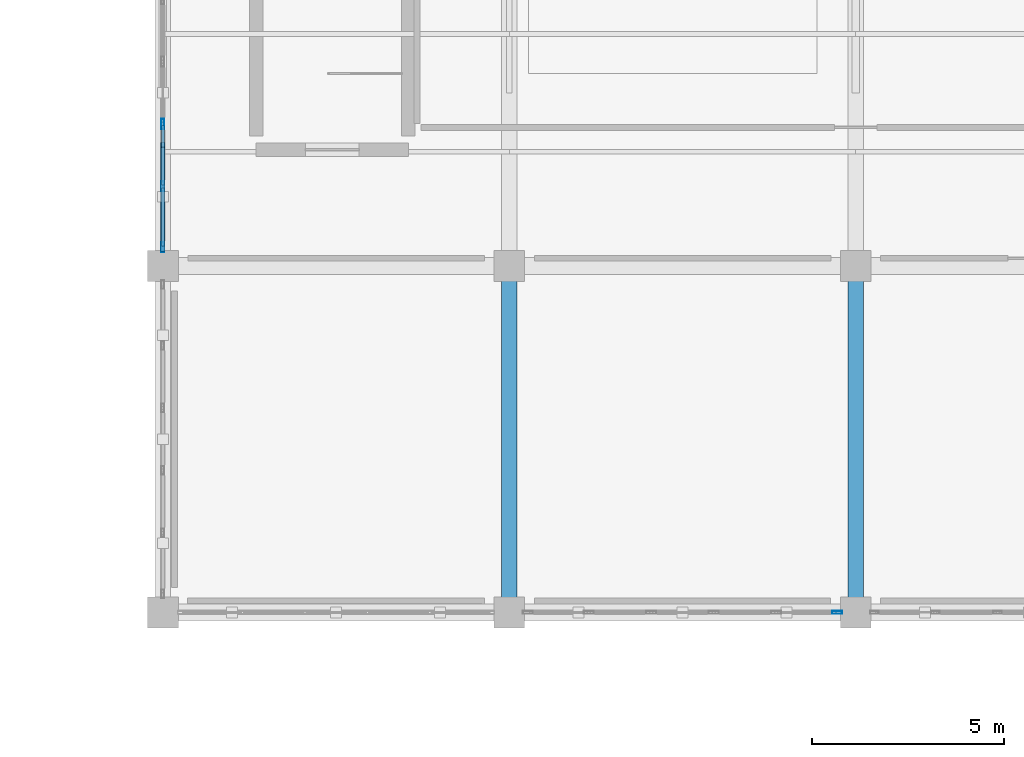
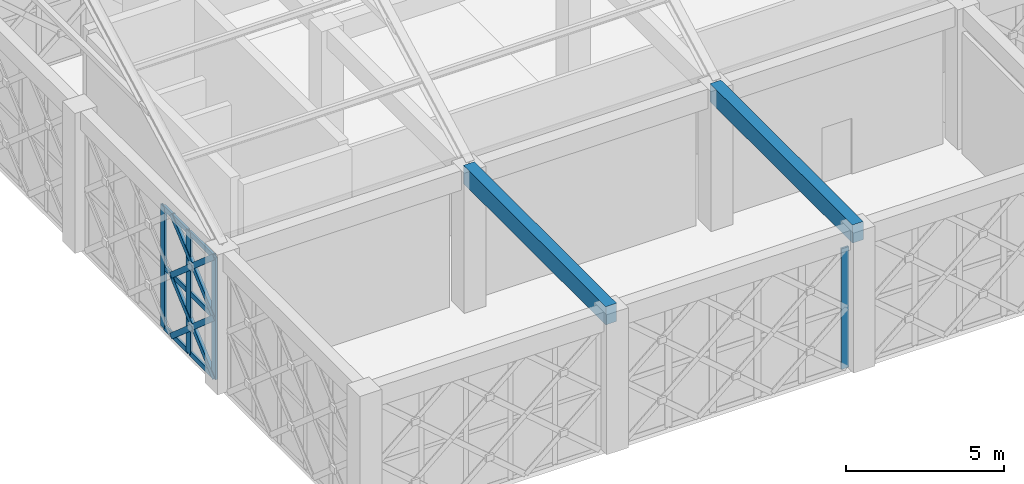
# One storey, part 24 of 86: 16 members, 2 beams, 2 elements without a shape of their own.
"""IFC4 building model written with IfcOpenShell, lengths in metres."""

import ifcopenshell
import ifcopenshell.guid

model = None  # the IFC model being written
_history = None  # IfcOwnerHistory: only IFC2X3 demands one
_inside = {}  # id of a spatial element -> (the spatial element, [elements in it])
_under = {}  # id of a project, library or spatial element -> (it, [spatial elements below it])
_declared = {}  # id of a project -> (the project, [libraries it declares])
_typed = {}  # id of a type object -> (the type object, [elements of that type])
_made_of = {}  # id of a material, layer set ... -> (it, [elements and type objects made of it])


def new_model(schema):
    """Start an empty IFC model of exactly this schema.

    Asked for "IFC4X3", IfcOpenShell would pick the latest addendum, in which some entities
    have other attributes; the version numbers below select the first issue.
    IFC2X3 requires an IfcOwnerHistory on every rooted entity: one is made here for all.
    """
    global model, _history
    if schema == "IFC4X3":
        model = ifcopenshell.file(schema_version=(4, 3, 0, 0))
    else:
        model = ifcopenshell.file(schema=schema)
    _inside.clear()
    _under.clear()
    _declared.clear()
    _typed.clear()
    _made_of.clear()
    _history = None
    if model.schema == "IFC2X3":
        org = make("IfcOrganization", Name="unknown")
        user = make(
            "IfcPersonAndOrganization",
            ThePerson=make("IfcPerson", FamilyName="unknown"),
            TheOrganization=org,
        )
        app = make(
            "IfcApplication",
            ApplicationDeveloper=org,
            Version="unknown",
            ApplicationFullName="unknown",
            ApplicationIdentifier="unknown",
        )
        _history = make(
            "IfcOwnerHistory",
            OwningUser=user,
            OwningApplication=app,
            ChangeAction="ADDED",
            CreationDate=0,
        )
    return model


def make(cls, **values):
    """One entity of the class cls with the attributes given. An attribute that is None is left unset."""
    return model.create_entity(
        cls, **{name: value for name, value in values.items() if value is not None}
    )


def rooted(cls, **values):
    """An entity with a GlobalId (a new one), such as an element, a storey or a relation."""
    return make(cls, GlobalId=ifcopenshell.guid.new(), OwnerHistory=_history, **values)


def si_unit(unit_type, name, prefix=None):
    """IfcSIUnit, for example si_unit("LENGTHUNIT", "METRE", prefix="MILLI")."""
    return make("IfcSIUnit", UnitType=unit_type, Prefix=prefix, Name=name)


def assignment(units):
    """IfcUnitAssignment: the units of a project."""
    return None if units is None else make("IfcUnitAssignment", Units=units)


def point(xyz):
    """IfcCartesianPoint."""
    return None if xyz is None else make("IfcCartesianPoint", Coordinates=xyz)


def direction(xyz):
    """IfcDirection."""
    return None if xyz is None else make("IfcDirection", DirectionRatios=xyz)


def frame(location, z_axis=None, x_axis=None):
    """IfcAxis2Placement3D, a coordinate frame: its origin and axes. An axis left out is left unset."""
    return make(
        "IfcAxis2Placement3D",
        Location=point(location),
        Axis=direction(z_axis),
        RefDirection=direction(x_axis),
    )


def frame_2d(location, x_axis=None):
    """IfcAxis2Placement2D, a coordinate frame in the plane: its origin and x axis."""
    return make(
        "IfcAxis2Placement2D", Location=point(location), RefDirection=direction(x_axis)
    )


def origin():
    """The frame at (0, 0, 0) with its axes left unset."""
    return frame((0.0, 0.0, 0.0))


def origin_2d():
    """The frame at (0, 0) in the plane with its x axis left unset."""
    return frame_2d((0.0, 0.0))


def place(relative_to, where):
    """IfcLocalPlacement: puts the frame where relative to a parent placement (None: the world)."""
    return make(
        "IfcLocalPlacement", PlacementRelTo=relative_to, RelativePlacement=where
    )


def context(
    kind, dimensions, precision=None, world=None, true_north=None, identifier=None
):
    """IfcGeometricRepresentationContext, for example the 3D "Model" context."""
    return make(
        "IfcGeometricRepresentationContext",
        ContextIdentifier=identifier,
        ContextType=kind,
        CoordinateSpaceDimension=dimensions,
        Precision=precision,
        WorldCoordinateSystem=world,
        TrueNorth=true_north,
    )


def subcontext(parent, identifier, kind, view, scale=None):
    """IfcGeometricRepresentationSubContext, for example "Body" below "Model"."""
    return make(
        "IfcGeometricRepresentationSubContext",
        ContextIdentifier=identifier,
        ContextType=kind,
        ParentContext=parent,
        TargetScale=scale,
        TargetView=view,
    )


def project(units=None, contexts=None):
    """IfcProject with its units and contexts."""
    return rooted(
        "IfcProject",
        Name="project",
        RepresentationContexts=contexts,
        UnitsInContext=assignment(units),
    )


def spatial(cls, under=None, at=None, **own):
    """A site, building, storey or space (cls), placed at a placement, below another one or the project."""
    s = rooted(cls, ObjectPlacement=at, **own)
    if under is not None:
        _under.setdefault(under.id(), (under, []))[1].append(s)
    return s


def profile(cls, at=None, kind="AREA", **sizes):
    """A parametric profile (cls). Its sizes go by their IFC names, for example OverallWidth=200.0."""
    return make(cls, ProfileType=kind, Position=at, **sizes)


def rectangle(**sizes):
    """IfcRectangleProfileDef."""
    return profile("IfcRectangleProfileDef", **sizes)


def hollow_rectangle(**sizes):
    """IfcRectangleHollowProfileDef."""
    return profile("IfcRectangleHollowProfileDef", **sizes)


def extrude(swept, where, along, depth):
    """IfcExtrudedAreaSolid: the profile swept, set in the frame where, extruded along a direction by depth."""
    return make(
        "IfcExtrudedAreaSolid",
        SweptArea=swept,
        Position=where,
        ExtrudedDirection=direction(along),
        Depth=depth,
    )


def shape(context_of_items, identifier, shape_type, items):
    """IfcShapeRepresentation: the items that make up one representation, for example the "Body"."""
    return make(
        "IfcShapeRepresentation",
        ContextOfItems=context_of_items,
        RepresentationIdentifier=identifier,
        RepresentationType=shape_type,
        Items=items,
    )


def material(Name=None, Category=None):
    """IfcMaterial."""
    return make("IfcMaterial", Name=Name, Category=Category)


def material_profile(
    of_material, cross_section, Name=None, Category=None, Priority=None
):
    """IfcMaterialProfile: a cross section and its material."""
    return make(
        "IfcMaterialProfile",
        Name=Name,
        Material=of_material,
        Profile=cross_section,
        Priority=Priority,
        Category=Category,
    )


def profile_set(profiles, Name=None, composite=None):
    """IfcMaterialProfileSet."""
    return make(
        "IfcMaterialProfileSet",
        Name=Name,
        MaterialProfiles=profiles,
        CompositeProfile=composite,
    )


def made_of(thing, what):
    """Note that an element or type object is made of a material, layer set ...; save() writes the relation."""
    if what is not None:
        _made_of.setdefault(what.id(), (what, []))[1].append(thing)
    return thing


def type_object(cls, material=None, **own):
    """A type object (cls), such as IfcWallType, which elements share."""
    return made_of(rooted(cls, **own), material)


def element(
    cls,
    number,
    at=None,
    inside=None,
    cuts=None,
    type_object=None,
    material=None,
    context=None,
    identifier="Body",
    shape_type=None,
    held_by="IfcProductDefinitionShape",
    body=None,
    shapes=None,
    **own,
):
    """One element of the class cls, such as IfcWall. Its Tag is "e" and its number.

    at: its placement. inside: the storey or other place that contains it. cuts: it is an
    opening in that element (IfcRelVoidsElement). A single representation is given by context,
    identifier, shape_type and body (its items); several are given by shapes. held_by: the class
    of the entity that holds the representations. save() writes the other relations.
    """
    e = rooted(cls, Tag="e%d" % number, ObjectPlacement=at, **own)
    if body is not None:
        shapes = [shape(context, identifier, shape_type, body)]
    if shapes is not None:
        e.Representation = make(held_by, Representations=shapes)
    if inside is not None:
        _inside.setdefault(inside.id(), (inside, []))[1].append(e)
    if cuts is not None:
        rooted(
            "IfcRelVoidsElement", RelatingBuildingElement=cuts, RelatedOpeningElement=e
        )
    if type_object is not None:
        _typed.setdefault(type_object.id(), (type_object, []))[1].append(e)
    return made_of(e, material)


def aggregate(whole, parts):
    """IfcRelAggregates: a whole, such as a stair, and the parts it consists of."""
    return rooted("IfcRelAggregates", RelatingObject=whole, RelatedObjects=parts)


def save(model, path):
    """Write the relations noted so far, then the file.

    IfcRelAggregates (storeys below a building ...), IfcRelContainedInSpatialStructure (elements
    in a storey), IfcRelDefinesByType, IfcRelAssociatesMaterial and IfcRelDeclares: one each for
    every whole, place, type object, material and project.
    """
    for whole, parts in _under.values():
        aggregate(whole, parts)
    for where, things in _inside.values():
        rooted(
            "IfcRelContainedInSpatialStructure",
            RelatedElements=things,
            RelatingStructure=where,
        )
    for kind, things in _typed.values():
        rooted("IfcRelDefinesByType", RelatedObjects=things, RelatingType=kind)
    for what, things in _made_of.values():
        rooted("IfcRelAssociatesMaterial", RelatedObjects=things, RelatingMaterial=what)
    for by, libraries in _declared.values():
        rooted("IfcRelDeclares", RelatingContext=by, RelatedDefinitions=libraries)
    model.write(path)


model = new_model("IFC4")

# Units and contexts
model_context = context("Model", 3, precision=1e-05, world=origin(), true_north=direction((0.0, 1.0)))
body_context = subcontext(model_context, "Body", "Model", "MODEL_VIEW")
ifc_project = project(units=[si_unit("LENGTHUNIT", "METRE"), si_unit("AREAUNIT", "SQUARE_METRE"), si_unit("VOLUMEUNIT", "CUBIC_METRE"), si_unit("PLANEANGLEUNIT", "RADIAN"), si_unit("MASSUNIT", "GRAM", prefix="KILO")], contexts=[model_context])

# Site, building, storey
site_placement = place(None, origin())
site = spatial("IfcSite", under=ifc_project, at=site_placement, CompositionType="ELEMENT")
building_placement = place(site_placement, origin())
building = spatial("IfcBuilding", under=site, at=building_placement, Name="Haizhuo Lancet Aquarium", CompositionType="ELEMENT")
storey_placement = place(building_placement, frame((0.0, 0.0, 16.199951171875)))
storey = spatial("IfcBuildingStorey", under=building, at=storey_placement, Name="L03", CompositionType="ELEMENT", Elevation=16.199951171875)

# Beams
ifc_material_1 = material(Name="Concrete C40/50", Category="concrete")
ifc_material_profile_1 = material_profile(ifc_material_1, rectangle(XDim=0.39990234375, YDim=0.699951171875, at=origin_2d()), Name="RC-BM 400x700")
ifc_profile_set_1 = profile_set([ifc_material_profile_1], Name="Concrete C40/50")
beam_type = type_object("IfcBeamType", Name="BM-RC-400x700", PredefinedType="BEAM", material=ifc_profile_set_1)
for number, where, z_axis, x_axis, name in (
    (1, (36.0, -36.0, 5.050048828125), (0.0, 1.0, 0.0), (-1.0, 0.0, 0.0), "L03 V3 primary girder BM-L03-V3-007"),
    (2, (45.0, -36.0, 5.050048828125), (0.0, 1.0, 0.0), (-1.0, 0.0, 0.0), "L03 V3 primary girder BM-L03-V3-014"),
):
    element("IfcBeam", number, at=place(storey_placement, frame(where, z_axis=z_axis, x_axis=x_axis)), inside=storey, type_object=beam_type, Name=name, PredefinedType="BEAM", context=body_context, shape_type="SweptSolid", body=[
        extrude(rectangle(XDim=0.39990234375, YDim=0.699951171875, at=origin_2d()), origin(), (0.0, 0.0, 1.0), 9.0),
    ])

# Curtain wall, member
ifc_material_2 = material(Name="Aluminium 6063-T6", Category="aluminium")
curtain_wall_type_1 = type_object("IfcCurtainWallType", Name="CWO-8110x4650", PredefinedType="NOTDEFINED", material=ifc_material_2)
curtain_wall_1_placement = place(storey_placement, origin())
curtain_wall_1 = element("IfcCurtainWall", 3, at=curtain_wall_1_placement, inside=storey, type_object=curtain_wall_type_1, Name="L03 curtain wall CW-V3-L03-078", PredefinedType="NOTDEFINED")
ifc_material_profile_2 = material_profile(ifc_material_2, hollow_rectangle(XDim=0.080078125, YDim=0.260009765625, WallThickness=0.0048828125, at=origin_2d()), Name="ALU-M 80x260x5")
ifc_profile_set_2 = profile_set([ifc_material_profile_2], Name="Aluminium 6063-T6")
member_type_1 = type_object("IfcMemberType", Name="CW-MUL-3", PredefinedType="MULLION", material=ifc_profile_set_2)
member_1_placement = place(storey_placement, frame((44.514892578125, -36.0, 0.0), z_axis=(0.0, 0.0, 1.0), x_axis=(0.0, -1.0, 0.0)))
member_1 = element("IfcMember", 4, at=member_1_placement, type_object=member_type_1, Name="CWO-81x46 mullion 1", PredefinedType="MULLION", context=body_context, shape_type="SweptSolid", body=[
    extrude(hollow_rectangle(XDim=0.080078125, YDim=0.260009765625, WallThickness=0.0048828125, at=origin_2d()), origin(), (0.0, 0.0, 1.0), 4.650146484375),
])
aggregate(curtain_wall_1, [member_1])

# Curtain wall, members
curtain_wall_type_2 = type_object("IfcCurtainWallType", Name="CWO-8110x4700", PredefinedType="NOTDEFINED", material=ifc_material_2)
curtain_wall_2_placement = place(storey_placement, origin())
curtain_wall_2 = element("IfcCurtainWall", 5, at=curtain_wall_2_placement, inside=storey, type_object=curtain_wall_type_2, Name="L03 curtain wall CW-V3-L03-081", PredefinedType="NOTDEFINED")
member_2_placement = place(storey_placement, frame((27.0, -26.514892578125, 0.0), z_axis=(0.0, 0.0, 1.0), x_axis=(-1.0, 0.0, 0.0)))
member_2 = element("IfcMember", 6, at=member_2_placement, type_object=member_type_1, Name="CWO-81x47 mullion 1", PredefinedType="MULLION", context=body_context, shape_type="SweptSolid", body=[
    extrude(hollow_rectangle(XDim=0.080078125, YDim=0.260009765625, WallThickness=0.0048828125, at=origin_2d()), origin(), (0.0, 0.0, 1.0), 4.699951171875),
])
member_3_placement = place(storey_placement, frame((27.0, -24.93310546875, 0.0), z_axis=(0.0, 0.0, 1.0), x_axis=(-1.0, 0.0, 0.0)))
member_3 = element("IfcMember", 7, at=member_3_placement, type_object=member_type_1, Name="CWO-81x47 mullion 2", PredefinedType="MULLION", context=body_context, shape_type="SweptSolid", body=[
    extrude(hollow_rectangle(XDim=0.080078125, YDim=0.260009765625, WallThickness=0.0048828125, at=origin_2d()), origin(), (0.0, 0.0, 1.0), 4.699951171875),
])
member_4_placement = place(storey_placement, frame((27.0, -23.31103515625, 0.0), z_axis=(0.0, 0.0, 1.0), x_axis=(-1.0, 0.0, 0.0)))
member_4 = element("IfcMember", 8, at=member_4_placement, type_object=member_type_1, Name="CWO-81x47 mullion 3", PredefinedType="MULLION", context=body_context, shape_type="SweptSolid", body=[
    extrude(hollow_rectangle(XDim=0.080078125, YDim=0.260009765625, WallThickness=0.0048828125, at=origin_2d()), origin(), (0.0, 0.0, 1.0), 4.699951171875),
])
ifc_material_profile_3 = material_profile(ifc_material_2, hollow_rectangle(XDim=0.080078125, YDim=0.18994140625, WallThickness=0.0048828125, at=origin_2d()), Name="ALU-T 80x190x5")
ifc_profile_set_3 = profile_set([ifc_material_profile_3], Name="Aluminium 6063-T6")
member_type_2 = type_object("IfcMemberType", Name="CW-TRN-3", PredefinedType="NOTDEFINED", material=ifc_profile_set_3)
member_5_placement = place(storey_placement, frame((27.0, -26.47509765625, 0.0400390625), z_axis=(0.0, 1.0, 0.0), x_axis=(-1.0, 0.0, 0.0)))
member_5 = element("IfcMember", 9, at=member_5_placement, type_object=member_type_2, Name="CWO-81x47 transom 1.1", ObjectType="TRANSOM", PredefinedType="USERDEFINED", context=body_context, shape_type="SweptSolid", body=[
    extrude(hollow_rectangle(XDim=0.080078125, YDim=0.18994140625, WallThickness=0.0048828125, at=origin_2d()), origin(), (0.0, 0.0, 1.0), 1.502197265625),
])
member_6_placement = place(storey_placement, frame((27.0, -26.47509765625, 2.35009765625), z_axis=(0.0, 1.0, 0.0), x_axis=(-1.0, 0.0, 0.0)))
member_6 = element("IfcMember", 10, at=member_6_placement, type_object=member_type_2, Name="CWO-81x47 transom 1.2", ObjectType="TRANSOM", PredefinedType="USERDEFINED", context=body_context, shape_type="SweptSolid", body=[
    extrude(hollow_rectangle(XDim=0.080078125, YDim=0.18994140625, WallThickness=0.0048828125, at=origin_2d()), origin(), (0.0, 0.0, 1.0), 1.502197265625),
])
member_7_placement = place(storey_placement, frame((27.0, -26.47509765625, 4.66015625), z_axis=(0.0, 1.0, 0.0), x_axis=(-1.0, 0.0, 0.0)))
member_7 = element("IfcMember", 11, at=member_7_placement, type_object=member_type_2, Name="CWO-81x47 transom 1.3", ObjectType="TRANSOM", PredefinedType="USERDEFINED", context=body_context, shape_type="SweptSolid", body=[
    extrude(hollow_rectangle(XDim=0.080078125, YDim=0.18994140625, WallThickness=0.0048828125, at=origin_2d()), origin(), (0.0, 0.0, 1.0), 1.502197265625),
])
member_8_placement = place(storey_placement, frame((27.0, -24.89306640625, 0.0400390625), z_axis=(0.0, 1.0, 0.0), x_axis=(-1.0, 0.0, 0.0)))
member_8 = element("IfcMember", 12, at=member_8_placement, type_object=member_type_2, Name="CWO-81x47 transom 2.1", ObjectType="TRANSOM", PredefinedType="USERDEFINED", context=body_context, shape_type="SweptSolid", body=[
    extrude(hollow_rectangle(XDim=0.080078125, YDim=0.18994140625, WallThickness=0.0048828125, at=origin_2d()), origin(), (0.0, 0.0, 1.0), 1.5419921875),
])
member_9_placement = place(storey_placement, frame((27.0, -24.89306640625, 2.35009765625), z_axis=(0.0, 1.0, 0.0), x_axis=(-1.0, 0.0, 0.0)))
member_9 = element("IfcMember", 13, at=member_9_placement, type_object=member_type_2, Name="CWO-81x47 transom 2.2", ObjectType="TRANSOM", PredefinedType="USERDEFINED", context=body_context, shape_type="SweptSolid", body=[
    extrude(hollow_rectangle(XDim=0.080078125, YDim=0.18994140625, WallThickness=0.0048828125, at=origin_2d()), origin(), (0.0, 0.0, 1.0), 1.5419921875),
])
member_10_placement = place(storey_placement, frame((27.0, -24.89306640625, 4.66015625), z_axis=(0.0, 1.0, 0.0), x_axis=(-1.0, 0.0, 0.0)))
member_10 = element("IfcMember", 14, at=member_10_placement, type_object=member_type_2, Name="CWO-81x47 transom 2.3", ObjectType="TRANSOM", PredefinedType="USERDEFINED", context=body_context, shape_type="SweptSolid", body=[
    extrude(hollow_rectangle(XDim=0.080078125, YDim=0.18994140625, WallThickness=0.0048828125, at=origin_2d()), origin(), (0.0, 0.0, 1.0), 1.5419921875),
])
aggregate(curtain_wall_2, [member_2, member_3, member_4, member_5, member_6, member_7, member_8, member_9, member_10])

# Members
ifc_material_3 = material(Name="Steel S355", Category="steel")
ifc_material_profile_4 = material_profile(ifc_material_3, hollow_rectangle(XDim=0.1201171875, YDim=0.199951171875, WallThickness=0.008056640625, at=origin_2d()), Name="RHS 120x200x8")
ifc_profile_set_4 = profile_set([ifc_material_profile_4], Name="Steel S355")
member_type_3 = type_object("IfcMemberType", Name="MEM-LB-RHS120x200", PredefinedType="BRACE", material=ifc_profile_set_4)
member_11_placement = place(storey_placement, frame((27.0, -26.554931640625, 0.0), z_axis=(0.0, 0.754637805349, 0.656141587417), x_axis=(-1.0, 0.0, 0.0)))
element("IfcMember", 15, at=member_11_placement, inside=storey, type_object=member_type_3, Name="Gothic lancet continuous diagonal brace CW-V3-L03-081 1A", PredefinedType="BRACE", context=body_context, shape_type="SweptSolid", body=[
    extrude(hollow_rectangle(XDim=0.1201171875, YDim=0.199951171875, WallThickness=0.008056640625, at=origin_2d()), origin(), (0.0, 0.0, 1.0), 3.581787109375),
])
member_12_placement = place(storey_placement, frame((27.0, -23.85205078125, 0.0), z_axis=(0.0, -0.754491019428, 0.656310369873), x_axis=(1.0, 0.0, 0.0)))
element("IfcMember", 16, at=member_12_placement, inside=storey, type_object=member_type_3, Name="Gothic lancet split diagonal brace CW-V3-L03-081 1B1", PredefinedType="BRACE", context=body_context, shape_type="SweptSolid", body=[
    extrude(hollow_rectangle(XDim=0.1201171875, YDim=0.199951171875, WallThickness=0.008056640625, at=origin_2d()), origin(), (0.0, 0.0, 1.0), 1.790283203125),
])
member_13_placement = place(storey_placement, frame((27.0, -25.202880859375, 1.175048828125), z_axis=(0.0, -0.754784478057, 0.655972858954), x_axis=(1.0, 0.0, 0.0)))
element("IfcMember", 17, at=member_13_placement, inside=storey, type_object=member_type_3, Name="Gothic lancet split diagonal brace CW-V3-L03-081 1B2", PredefinedType="BRACE", context=body_context, shape_type="SweptSolid", body=[
    extrude(hollow_rectangle(XDim=0.1201171875, YDim=0.199951171875, WallThickness=0.008056640625, at=origin_2d()), origin(), (0.0, 0.0, 1.0), 1.791259765625),
])
member_14_placement = place(storey_placement, frame((27.0, -26.554931640625, 2.35009765625), z_axis=(0.0, 0.754671556952, 0.6561027672), x_axis=(-1.0, 0.0, 0.0)))
element("IfcMember", 18, at=member_14_placement, inside=storey, type_object=member_type_3, Name="Gothic lancet continuous diagonal brace CW-V3-L03-081 2A", PredefinedType="BRACE", context=body_context, shape_type="SweptSolid", body=[
    extrude(hollow_rectangle(XDim=0.1201171875, YDim=0.199951171875, WallThickness=0.008056640625, at=origin_2d()), origin(), (0.0, 0.0, 1.0), 3.58154296875),
])
member_15_placement = place(storey_placement, frame((27.0, -23.85205078125, 2.35009765625), z_axis=(0.0, -0.754491019428, 0.656310369873), x_axis=(1.0, 0.0, 0.0)))
element("IfcMember", 19, at=member_15_placement, inside=storey, type_object=member_type_3, Name="Gothic lancet split diagonal brace CW-V3-L03-081 2B1", PredefinedType="BRACE", context=body_context, shape_type="SweptSolid", body=[
    extrude(hollow_rectangle(XDim=0.1201171875, YDim=0.199951171875, WallThickness=0.008056640625, at=origin_2d()), origin(), (0.0, 0.0, 1.0), 1.790283203125),
])
member_16_placement = place(storey_placement, frame((27.0, -25.202880859375, 3.525146484375), z_axis=(0.0, -0.754851960681, 0.655895203105), x_axis=(1.0, 0.0, 0.0)))
element("IfcMember", 20, at=member_16_placement, inside=storey, type_object=member_type_3, Name="Gothic lancet split diagonal brace CW-V3-L03-081 2B2", PredefinedType="BRACE", context=body_context, shape_type="SweptSolid", body=[
    extrude(hollow_rectangle(XDim=0.1201171875, YDim=0.199951171875, WallThickness=0.008056640625, at=origin_2d()), origin(), (0.0, 0.0, 1.0), 1.791259765625),
])

save(model, "model.ifc")
